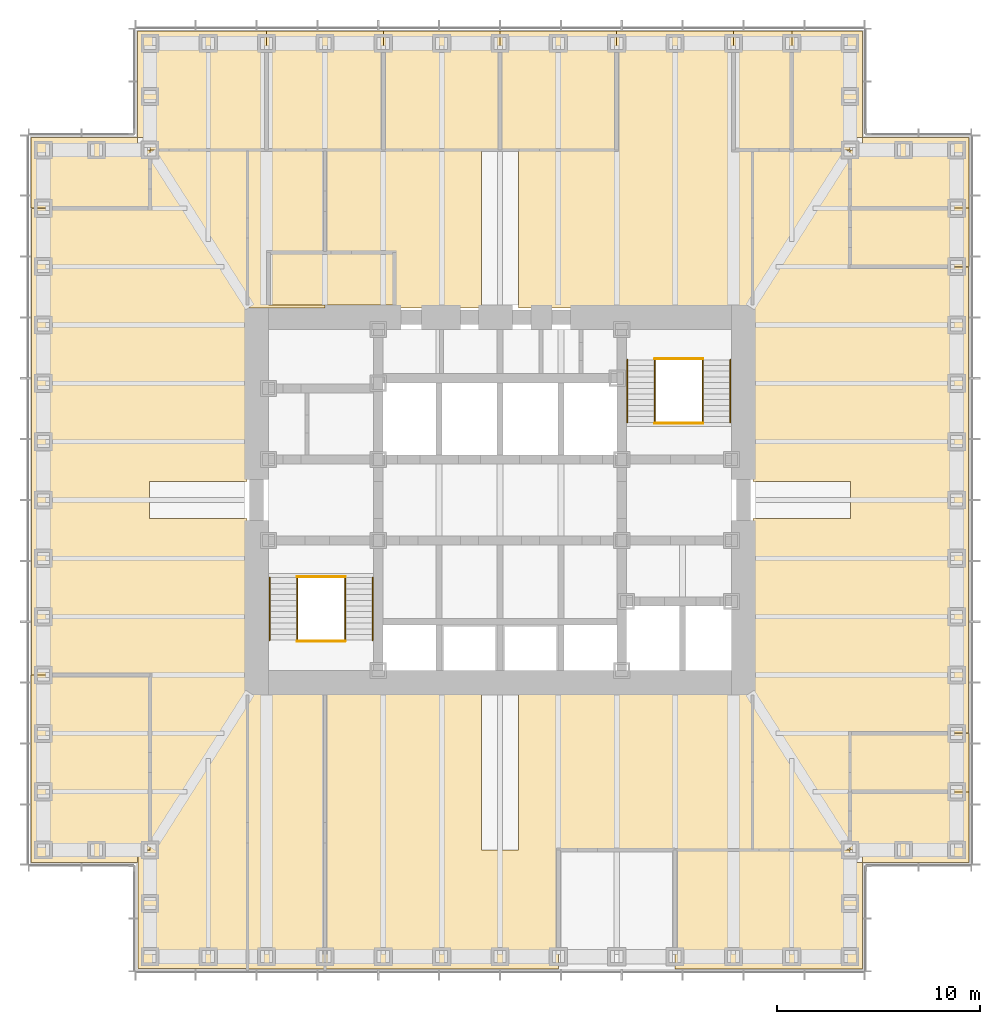
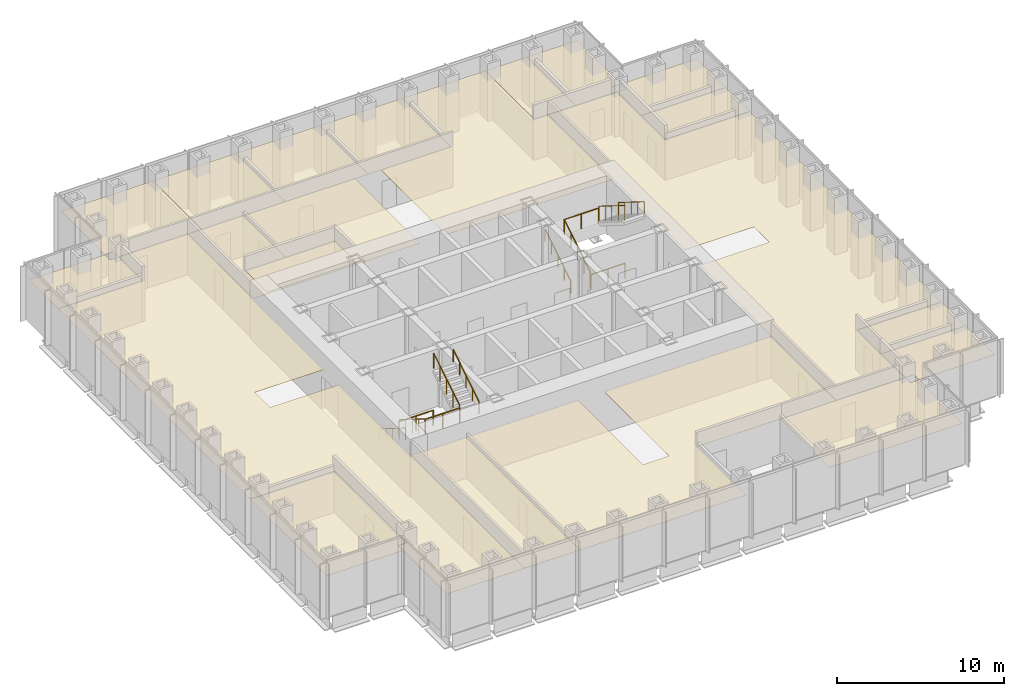
# One storey, part 17 of 17: 21 coverings, 12 railings.
"""IFC4 building model written with IfcOpenShell, lengths in metres."""

from ifc_helpers import new_model, si_unit, direction, frame, origin, origin_2d, place, context, subcontext, project, spatial, polyline, circle, outline, extrude, material, layer, layer_set, type_object, element, save


model = new_model("IFC4")

# Units and contexts
model_context = context("Model", 3, precision=1e-05, world=origin(), true_north=direction((0.0, 1.0)))
body_context = subcontext(model_context, "Body", "Model", "MODEL_VIEW")
ifc_project = project(units=[si_unit("LENGTHUNIT", "METRE"), si_unit("AREAUNIT", "SQUARE_METRE"), si_unit("VOLUMEUNIT", "CUBIC_METRE"), si_unit("PLANEANGLEUNIT", "RADIAN"), si_unit("MASSUNIT", "GRAM", prefix="KILO")], contexts=[model_context])

# Site, building, storey
site_placement = place(None, origin())
site = spatial("IfcSite", under=ifc_project, at=site_placement, CompositionType="ELEMENT")
building_placement = place(site_placement, origin())
building = spatial("IfcBuilding", under=site, at=building_placement, Name="Daluyong Arena Tower", CompositionType="ELEMENT")
storey_placement = place(building_placement, frame((0.0, 0.0, 124.89990234375)))
storey = spatial("IfcBuildingStorey", under=building, at=storey_placement, Name="L27", CompositionType="ELEMENT", Elevation=124.89990234375)

# Coverings
ifc_material_1 = material(Name="Mineral fibre ceiling tile", Category="gypsum board")
ifc_layer = layer(ifc_material_1, 0.02001953125)
ifc_layer_set = layer_set([ifc_layer], Name="Mineral fibre ceiling tile")
covering_type = type_object("IfcCoveringType", Name="Office ceiling", PredefinedType="CEILING", material=ifc_layer_set)
covering_1_placement = place(storey_placement, frame((0.0, 0.0, 2.900146484375)))
element("IfcCovering", 1, at=covering_1_placement, inside=storey, type_object=covering_type, Name="ceiling L27-02", PredefinedType="CEILING", context=body_context, shape_type="SweptSolid", body=[
    extrude(outline(polyline([(73.85009765625, 56.89990234375), (73.85009765625, 62.14990234375), (73.25, 62.14990234375), (73.25, 62.75), (64.625, 62.75), (64.625, 56.89990234375), (73.85009765625, 56.89990234375)])), origin(), (0.0, 0.0, 1.0), 0.02001953125),
])
covering_2_placement = place(storey_placement, frame((0.0, 0.0, 2.900146484375)))
element("IfcCovering", 2, at=covering_2_placement, inside=storey, type_object=covering_type, Name="ceiling L27-03", PredefinedType="CEILING", context=body_context, shape_type="SweptSolid", body=[
    extrude(outline(polyline([(73.85009765625, 62.14990234375), (79.10009765625, 62.14990234375), (79.10009765625, 65.625), (73.25, 65.625), (73.25, 62.75), (73.85009765625, 62.75), (73.85009765625, 62.14990234375)])), origin(), (0.0, 0.0, 1.0), 0.02001953125),
])
covering_3_placement = place(storey_placement, frame((0.0, 0.0, 2.900146484375)))
element("IfcCovering", 3, at=covering_3_placement, inside=storey, type_object=covering_type, Name="ceiling L27-04", PredefinedType="CEILING", context=body_context, shape_type="SweptSolid", body=[
    extrude(outline(polyline([(73.25, 65.625), (79.10009765625, 65.625), (79.10009765625, 68.5), (73.25, 68.5), (73.25, 65.625)])), origin(), (0.0, 0.0, 1.0), 0.02001953125),
])
covering_4_placement = place(storey_placement, frame((0.0, 0.0, 2.900146484375)))
element("IfcCovering", 4, at=covering_4_placement, inside=storey, type_object=covering_type, Name="ceiling L27-05", PredefinedType="CEILING", context=body_context, shape_type="SweptSolid", body=[
    extrude(outline(polyline([(73.25, 91.5), (79.10009765625, 91.5), (79.10009765625, 94.375), (73.25, 94.375), (73.25, 91.5)])), origin(), (0.0, 0.0, 1.0), 0.02001953125),
])
covering_5_placement = place(storey_placement, frame((0.0, 0.0, 2.900146484375)))
element("IfcCovering", 5, at=covering_5_placement, inside=storey, type_object=covering_type, Name="ceiling L27-06", PredefinedType="CEILING", context=body_context, shape_type="SweptSolid", body=[
    extrude(outline(polyline([(73.25, 94.375), (79.10009765625, 94.375), (79.10009765625, 97.85009765625), (73.85009765625, 97.85009765625), (73.85009765625, 97.25), (73.25, 97.25), (73.25, 94.375)])), origin(), (0.0, 0.0, 1.0), 0.02001953125),
])
covering_6_placement = place(storey_placement, frame((0.0, 0.0, 2.900146484375)))
element("IfcCovering", 6, at=covering_6_placement, inside=storey, type_object=covering_type, Name="ceiling L27-07", PredefinedType="CEILING", context=body_context, shape_type="SweptSolid", body=[
    extrude(outline(polyline([(44.5, 97.25), (44.5, 103.10009765625), (38.14990234375, 103.10009765625), (38.14990234375, 97.85009765625), (38.75, 97.85009765625), (38.75, 97.25), (44.5, 97.25)])), origin(), (0.0, 0.0, 1.0), 0.02001953125),
])
covering_7_placement = place(storey_placement, frame((0.0, 0.0, 2.900146484375)))
element("IfcCovering", 7, at=covering_7_placement, inside=storey, type_object=covering_type, Name="ceiling L27-08", PredefinedType="CEILING", context=body_context, shape_type="SweptSolid", body=[
    extrude(outline(polyline([(50.25, 97.25), (50.25, 103.10009765625), (44.5, 103.10009765625), (44.5, 97.25), (50.25, 97.25)])), origin(), (0.0, 0.0, 1.0), 0.02001953125),
])
covering_8_placement = place(storey_placement, frame((0.0, 0.0, 2.900146484375)))
element("IfcCovering", 8, at=covering_8_placement, inside=storey, type_object=covering_type, Name="ceiling L27-09", PredefinedType="CEILING", context=body_context, shape_type="SweptSolid", body=[
    extrude(outline(polyline([(56.0, 97.25), (56.0, 103.10009765625), (50.25, 103.10009765625), (50.25, 97.25), (56.0, 97.25)])), origin(), (0.0, 0.0, 1.0), 0.02001953125),
])
covering_9_placement = place(storey_placement, frame((0.0, 0.0, 2.900146484375)))
element("IfcCovering", 9, at=covering_9_placement, inside=storey, type_object=covering_type, Name="ceiling L27-10", PredefinedType="CEILING", context=body_context, shape_type="SweptSolid", body=[
    extrude(outline(polyline([(61.75, 97.25), (61.75, 103.10009765625), (56.0, 103.10009765625), (56.0, 97.25), (61.75, 97.25)])), origin(), (0.0, 0.0, 1.0), 0.02001953125),
])
covering_10_placement = place(storey_placement, frame((0.0, 0.0, 2.900146484375)))
element("IfcCovering", 10, at=covering_10_placement, inside=storey, type_object=covering_type, Name="ceiling L27-11", PredefinedType="CEILING", context=body_context, shape_type="SweptSolid", body=[
    extrude(outline(polyline([(70.375, 97.25), (70.375, 103.10009765625), (67.5, 103.10009765625), (67.5, 97.25), (70.375, 97.25)])), origin(), (0.0, 0.0, 1.0), 0.02001953125),
])
covering_11_placement = place(storey_placement, frame((0.0, 0.0, 2.900146484375)))
element("IfcCovering", 11, at=covering_11_placement, inside=storey, type_object=covering_type, Name="ceiling L27-12", PredefinedType="CEILING", context=body_context, shape_type="SweptSolid", body=[
    extrude(outline(polyline([(70.375, 97.25), (73.25, 97.25), (73.25, 97.85009765625), (73.85009765625, 97.85009765625), (73.85009765625, 103.10009765625), (70.375, 103.10009765625), (70.375, 97.25)])), origin(), (0.0, 0.0, 1.0), 0.02001953125),
])
covering_12_placement = place(storey_placement, frame((0.0, 0.0, 2.900146484375)))
element("IfcCovering", 12, at=covering_12_placement, inside=storey, type_object=covering_type, Name="ceiling L27-13", PredefinedType="CEILING", context=body_context, shape_type="SweptSolid", body=[
    extrude(outline(polyline([(32.89990234375, 62.14990234375), (38.14990234375, 62.14990234375), (38.14990234375, 62.75), (38.75, 62.75), (38.75, 71.375), (32.89990234375, 71.375), (32.89990234375, 62.14990234375)])), origin(), (0.0, 0.0, 1.0), 0.02001953125),
])
covering_13_placement = place(storey_placement, frame((0.0, 0.0, 2.900146484375)))
element("IfcCovering", 13, at=covering_13_placement, inside=storey, type_object=covering_type, Name="ceiling L27-14", PredefinedType="CEILING", context=body_context, shape_type="SweptSolid", body=[
    extrude(outline(polyline([(38.75, 94.375), (38.75, 97.25), (38.14990234375, 97.25), (38.14990234375, 97.85009765625), (32.89990234375, 97.85009765625), (32.89990234375, 94.375), (38.75, 94.375)])), origin(), (0.0, 0.0, 1.0), 0.02001953125),
])
covering_14_placement = place(storey_placement, frame((0.0, 0.0, 2.900146484375)))
element("IfcCovering", 14, at=covering_14_placement, inside=storey, type_object=covering_type, Name="ceiling L27-15", PredefinedType="CEILING", context=body_context, shape_type="SweptSolid", body=[
    extrude(outline(polyline([(44.60009765625, 89.60009765625), (50.800048828125, 89.60009765625), (50.800048828125, 92.199951171875), (44.60009765625, 92.199951171875), (44.60009765625, 89.60009765625)])), origin(), (0.0, 0.0, 1.0), 0.02001953125),
])
covering_15_placement = place(storey_placement, frame((0.0, 0.0, 2.900146484375)))
element("IfcCovering", 15, at=covering_15_placement, inside=storey, type_object=covering_type, Name="ceiling L27-20", PredefinedType="CEILING", context=body_context, shape_type="SweptSolid", body=[
    extrude(outline(polyline([(68.469970703125, 79.080078125), (68.469970703125, 62.77001953125), (73.22998046875, 62.77001953125), (73.22998046875, 68.52001953125), (79.080078125, 68.52001953125), (79.080078125, 91.47998046875), (73.22998046875, 91.47998046875), (73.22998046875, 97.22998046875), (68.469970703125, 97.22998046875), (68.469970703125, 80.919921875), (73.27001953125, 80.919921875), (73.27001953125, 79.080078125), (68.469970703125, 79.080078125)])), origin(), (0.0, 0.0, 1.0), 0.02001953125),
])
covering_16_placement = place(storey_placement, frame((0.0, 0.0, 2.900146484375)))
element("IfcCovering", 16, at=covering_16_placement, inside=storey, type_object=covering_type, Name="ceiling L27-21", PredefinedType="CEILING", context=body_context, shape_type="SweptSolid", body=[
    extrude(outline(polyline([(38.760009765625, 97.239990234375), (38.760009765625, 94.364990234375), (32.909912109375, 94.364990234375), (32.909912109375, 71.385009765625), (38.760009765625, 71.385009765625), (38.760009765625, 62.739990234375), (38.159912109375, 62.739990234375), (38.159912109375, 56.909912109375), (43.5400390625, 56.909912109375), (43.5400390625, 79.090087890625), (38.739990234375, 79.090087890625), (38.739990234375, 80.909912109375), (43.5400390625, 80.909912109375), (43.5400390625, 97.239990234375), (38.760009765625, 97.239990234375)])), origin(), (0.0, 0.0, 1.0), 0.02001953125),
])
covering_17_placement = place(storey_placement, frame((0.0, 0.0, 2.900146484375)))
element("IfcCovering", 17, at=covering_17_placement, inside=storey, type_object=covering_type, Name="ceiling L27-22", PredefinedType="CEILING", context=body_context, shape_type="SweptSolid", body=[
    extrude(outline(polyline([(47.375, 70.550048828125), (43.550048828125, 70.550048828125), (43.550048828125, 56.89990234375), (47.375, 56.89990234375), (47.375, 70.550048828125)])), origin(), (0.0, 0.0, 1.0), 0.02001953125),
])
covering_18_placement = place(storey_placement, frame((0.0, 0.0, 2.900146484375)))
element("IfcCovering", 18, at=covering_18_placement, inside=storey, type_object=covering_type, Name="ceiling L27-23", PredefinedType="CEILING", context=body_context, shape_type="SweptSolid", body=[
    extrude(outline(polyline([(55.10009765625, 70.550048828125), (47.375, 70.550048828125), (47.375, 56.89990234375), (58.875, 56.89990234375), (58.875, 62.75), (68.449951171875, 62.75), (68.449951171875, 70.550048828125), (56.89990234375, 70.550048828125), (56.89990234375, 62.75), (55.10009765625, 62.75), (55.10009765625, 70.550048828125)])), origin(), (0.0, 0.0, 1.0), 0.02001953125),
])
covering_19_placement = place(storey_placement, frame((0.0, 0.0, 2.900146484375)))
element("IfcCovering", 19, at=covering_19_placement, inside=storey, type_object=covering_type, Name="ceiling L27-24", PredefinedType="CEILING", context=body_context, shape_type="SweptSolid", body=[
    extrude(outline(polyline([(43.550048828125, 89.449951171875), (47.375, 89.449951171875), (47.375, 89.60009765625), (44.60009765625, 89.60009765625), (44.60009765625, 92.199951171875), (47.375, 92.199951171875), (47.375, 97.25), (43.550048828125, 97.25), (43.550048828125, 89.449951171875)])), origin(), (0.0, 0.0, 1.0), 0.02001953125),
])
covering_20_placement = place(storey_placement, frame((0.0, 0.0, 2.900146484375)))
element("IfcCovering", 20, at=covering_20_placement, inside=storey, type_object=covering_type, Name="ceiling L27-25", PredefinedType="CEILING", context=body_context, shape_type="SweptSolid", body=[
    extrude(outline(polyline([(55.10009765625, 97.25), (47.375, 97.25), (47.375, 92.199951171875), (50.800048828125, 92.199951171875), (50.800048828125, 89.60009765625), (47.375, 89.60009765625), (47.375, 89.449951171875), (55.10009765625, 89.449951171875), (55.10009765625, 97.25)])), origin(), (0.0, 0.0, 1.0), 0.02001953125),
])
covering_21_placement = place(storey_placement, frame((0.0, 0.0, 2.900146484375)))
element("IfcCovering", 21, at=covering_21_placement, inside=storey, type_object=covering_type, Name="ceiling L27-26", PredefinedType="CEILING", context=body_context, shape_type="SweptSolid", body=[
    extrude(outline(polyline([(56.89990234375, 89.449951171875), (68.449951171875, 89.449951171875), (68.449951171875, 97.25), (67.5, 97.25), (67.5, 103.10009765625), (61.75, 103.10009765625), (61.75, 97.25), (56.89990234375, 97.25), (56.89990234375, 89.449951171875)])), origin(), (0.0, 0.0, 1.0), 0.02001953125),
])

# Railings
ifc_material_2 = material(Name="Stainless steel handrail", Category="steel")
railing_type_1 = type_object("IfcRailingType", Name="Stair handrail", PredefinedType="HANDRAIL", material=ifc_material_2)
railing_1_placement = place(storey_placement, frame((44.64990234375, 76.175048828125, 0.175048828125)))
element("IfcRailing", 22, at=railing_1_placement, inside=storey, type_object=railing_type_1, Name="exit stair A handrail L27", PredefinedType="HANDRAIL", context=body_context, shape_type="SweptSolid", body=[
    extrude(circle(Radius=0.02392578125, at=origin_2d()), frame((0.0, 0.0, 0.8759765625), z_axis=(0.0, -0.847998304005, 0.529998940003), x_axis=(1.0, 0.0, 0.0)), (0.0, 0.0, 1.0), 3.632080078125),
    extrude(circle(Radius=0.02099609375, at=origin_2d()), origin(), (0.0, 0.0, 1.0), 0.851806640625),
    extrude(circle(Radius=0.02099609375, at=origin_2d()), frame((0.0, -0.77001953125, 0.481201171875)), (0.0, 0.0, 1.0), 0.851806640625),
    extrude(circle(Radius=0.02099609375, at=origin_2d()), frame((0.0, -1.5400390625, 0.96240234375)), (0.0, 0.0, 1.0), 0.851806640625),
    extrude(circle(Radius=0.02099609375, at=origin_2d()), frame((0.0, -2.31005859375, 1.44384765625)), (0.0, 0.0, 1.0), 0.851806640625),
    extrude(circle(Radius=0.02099609375, at=origin_2d()), frame((0.0, -3.080078125, 1.925048828125)), (0.0, 0.0, 1.0), 0.851806640625),
])
for number, where, name in (
    (23, (49.72509765625, 73.094970703125, 2.275146484375), "exit stair A handrail L27"),
    (24, (62.27490234375, 83.824951171875, 0.175048828125), "exit stair B handrail L27"),
):
    element("IfcRailing", number, at=place(storey_placement, frame(where)), inside=storey, type_object=railing_type_1, Name=name, PredefinedType="HANDRAIL", context=body_context, shape_type="SweptSolid", body=[
        extrude(circle(Radius=0.02392578125, at=origin_2d()), frame((0.0, 0.0, 0.8759765625), z_axis=(0.0, 0.847998304005, 0.529998940003), x_axis=(-1.0, 0.0, 0.0)), (0.0, 0.0, 1.0), 3.632080078125),
        extrude(circle(Radius=0.02099609375, at=origin_2d()), origin(), (0.0, 0.0, 1.0), 0.851806640625),
        extrude(circle(Radius=0.02099609375, at=origin_2d()), frame((0.0, 0.77001953125, 0.481201171875)), (0.0, 0.0, 1.0), 0.851806640625),
        extrude(circle(Radius=0.02099609375, at=origin_2d()), frame((0.0, 1.5400390625, 0.96240234375)), (0.0, 0.0, 1.0), 0.851806640625),
        extrude(circle(Radius=0.02099609375, at=origin_2d()), frame((0.0, 2.31005859375, 1.44384765625)), (0.0, 0.0, 1.0), 0.851806640625),
        extrude(circle(Radius=0.02099609375, at=origin_2d()), frame((0.0, 3.080078125, 1.925048828125)), (0.0, 0.0, 1.0), 0.851806640625),
    ])
railing_2_placement = place(storey_placement, frame((67.35009765625, 86.905029296875, 2.275146484375)))
element("IfcRailing", 25, at=railing_2_placement, inside=storey, type_object=railing_type_1, Name="exit stair B handrail L27", PredefinedType="HANDRAIL", context=body_context, shape_type="SweptSolid", body=[
    extrude(circle(Radius=0.02392578125, at=origin_2d()), frame((0.0, 0.0, 0.8759765625), z_axis=(0.0, -0.847998304005, 0.529998940003), x_axis=(1.0, 0.0, 0.0)), (0.0, 0.0, 1.0), 3.632080078125),
    extrude(circle(Radius=0.02099609375, at=origin_2d()), origin(), (0.0, 0.0, 1.0), 0.851806640625),
    extrude(circle(Radius=0.02099609375, at=origin_2d()), frame((0.0, -0.77001953125, 0.481201171875)), (0.0, 0.0, 1.0), 0.851806640625),
    extrude(circle(Radius=0.02099609375, at=origin_2d()), frame((0.0, -1.5400390625, 0.96240234375)), (0.0, 0.0, 1.0), 0.851806640625),
    extrude(circle(Radius=0.02099609375, at=origin_2d()), frame((0.0, -2.31005859375, 1.44384765625)), (0.0, 0.0, 1.0), 0.851806640625),
    extrude(circle(Radius=0.02099609375, at=origin_2d()), frame((0.0, -3.080078125, 1.925048828125)), (0.0, 0.0, 1.0), 0.851806640625),
])
ifc_material_3 = material(Name="Steel balustrade", Category="steel")
railing_type_2 = type_object("IfcRailingType", Name="Stair well guard 1100", PredefinedType="GUARDRAIL", material=ifc_material_3)
railing_3_placement = place(storey_placement, frame((46.0, 76.175048828125, 0.175048828125)))
element("IfcRailing", 26, at=railing_3_placement, inside=storey, type_object=railing_type_2, Name="exit stair A well guard L27", PredefinedType="GUARDRAIL", context=body_context, shape_type="SweptSolid", body=[
    extrude(circle(Radius=0.02392578125, at=origin_2d()), frame((0.0, 0.0, 1.076171875), z_axis=(0.0, -0.847998304005, 0.529998940003), x_axis=(1.0, 0.0, 0.0)), (0.0, 0.0, 1.0), 3.632080078125),
    extrude(circle(Radius=0.02099609375, at=origin_2d()), origin(), (0.0, 0.0, 1.0), 1.052001953125),
    extrude(circle(Radius=0.02099609375, at=origin_2d()), frame((0.0, -0.77001953125, 0.481201171875)), (0.0, 0.0, 1.0), 1.052001953125),
    extrude(circle(Radius=0.02099609375, at=origin_2d()), frame((0.0, -1.5400390625, 0.96240234375)), (0.0, 0.0, 1.0), 1.052001953125),
    extrude(circle(Radius=0.02099609375, at=origin_2d()), frame((0.0, -2.31005859375, 1.44384765625)), (0.0, 0.0, 1.0), 1.052001953125),
    extrude(circle(Radius=0.02099609375, at=origin_2d()), frame((0.0, -3.080078125, 1.925048828125)), (0.0, 0.0, 1.0), 1.052001953125),
])
railing_4_placement = place(storey_placement, frame((48.375, 73.094970703125, 2.275146484375)))
element("IfcRailing", 27, at=railing_4_placement, inside=storey, type_object=railing_type_2, Name="exit stair A well guard L27", PredefinedType="GUARDRAIL", context=body_context, shape_type="SweptSolid", body=[
    extrude(circle(Radius=0.02392578125, at=origin_2d()), frame((0.0, 0.0, 1.076171875), z_axis=(0.0, 0.847998304005, 0.529998940003), x_axis=(-1.0, 0.0, 0.0)), (0.0, 0.0, 1.0), 3.632080078125),
    extrude(circle(Radius=0.02099609375, at=origin_2d()), origin(), (0.0, 0.0, 1.0), 1.052001953125),
    extrude(circle(Radius=0.02099609375, at=origin_2d()), frame((0.0, 0.77001953125, 0.481201171875)), (0.0, 0.0, 1.0), 1.052001953125),
    extrude(circle(Radius=0.02099609375, at=origin_2d()), frame((0.0, 1.5400390625, 0.96240234375)), (0.0, 0.0, 1.0), 1.052001953125),
    extrude(circle(Radius=0.02099609375, at=origin_2d()), frame((0.0, 2.31005859375, 1.44384765625)), (0.0, 0.0, 1.0), 1.052001953125),
    extrude(circle(Radius=0.02099609375, at=origin_2d()), frame((0.0, 3.080078125, 1.925048828125)), (0.0, 0.0, 1.0), 1.052001953125),
])
for number, where, name in (
    (28, (46.0, 73.044921875, 2.10009765625), "exit stair A landing guard L27"),
    (29, (46.0, 76.22509765625, 0.0), "exit stair A floor landing guard L27"),
):
    element("IfcRailing", number, at=place(storey_placement, frame(where)), inside=storey, type_object=railing_type_2, Name=name, PredefinedType="GUARDRAIL", context=body_context, shape_type="SweptSolid", body=[
        extrude(circle(Radius=0.02392578125, at=origin_2d()), frame((0.0, 0.0, 1.076171875), z_axis=(1.0, 0.0, 0.0), x_axis=(0.0, 1.0, 0.0)), (0.0, 0.0, 1.0), 2.375),
        extrude(circle(Radius=0.02099609375, at=origin_2d()), origin(), (0.0, 0.0, 1.0), 1.052001953125),
        extrude(circle(Radius=0.02099609375, at=origin_2d()), frame((1.1875, 0.0, 0.0)), (0.0, 0.0, 1.0), 1.052001953125),
        extrude(circle(Radius=0.02099609375, at=origin_2d()), frame((2.375, 0.0, 0.0)), (0.0, 0.0, 1.0), 1.052001953125),
    ])
railing_5_placement = place(storey_placement, frame((63.625, 83.824951171875, 0.175048828125)))
element("IfcRailing", 30, at=railing_5_placement, inside=storey, type_object=railing_type_2, Name="exit stair B well guard L27", PredefinedType="GUARDRAIL", context=body_context, shape_type="SweptSolid", body=[
    extrude(circle(Radius=0.02392578125, at=origin_2d()), frame((0.0, 0.0, 1.076171875), z_axis=(0.0, 0.847998304005, 0.529998940003), x_axis=(-1.0, 0.0, 0.0)), (0.0, 0.0, 1.0), 3.632080078125),
    extrude(circle(Radius=0.02099609375, at=origin_2d()), origin(), (0.0, 0.0, 1.0), 1.052001953125),
    extrude(circle(Radius=0.02099609375, at=origin_2d()), frame((0.0, 0.77001953125, 0.481201171875)), (0.0, 0.0, 1.0), 1.052001953125),
    extrude(circle(Radius=0.02099609375, at=origin_2d()), frame((0.0, 1.5400390625, 0.96240234375)), (0.0, 0.0, 1.0), 1.052001953125),
    extrude(circle(Radius=0.02099609375, at=origin_2d()), frame((0.0, 2.31005859375, 1.44384765625)), (0.0, 0.0, 1.0), 1.052001953125),
    extrude(circle(Radius=0.02099609375, at=origin_2d()), frame((0.0, 3.080078125, 1.925048828125)), (0.0, 0.0, 1.0), 1.052001953125),
])
railing_6_placement = place(storey_placement, frame((66.0, 86.905029296875, 2.275146484375)))
element("IfcRailing", 31, at=railing_6_placement, inside=storey, type_object=railing_type_2, Name="exit stair B well guard L27", PredefinedType="GUARDRAIL", context=body_context, shape_type="SweptSolid", body=[
    extrude(circle(Radius=0.02392578125, at=origin_2d()), frame((0.0, 0.0, 1.076171875), z_axis=(0.0, -0.847998304005, 0.529998940003), x_axis=(1.0, 0.0, 0.0)), (0.0, 0.0, 1.0), 3.632080078125),
    extrude(circle(Radius=0.02099609375, at=origin_2d()), origin(), (0.0, 0.0, 1.0), 1.052001953125),
    extrude(circle(Radius=0.02099609375, at=origin_2d()), frame((0.0, -0.77001953125, 0.481201171875)), (0.0, 0.0, 1.0), 1.052001953125),
    extrude(circle(Radius=0.02099609375, at=origin_2d()), frame((0.0, -1.5400390625, 0.96240234375)), (0.0, 0.0, 1.0), 1.052001953125),
    extrude(circle(Radius=0.02099609375, at=origin_2d()), frame((0.0, -2.31005859375, 1.44384765625)), (0.0, 0.0, 1.0), 1.052001953125),
    extrude(circle(Radius=0.02099609375, at=origin_2d()), frame((0.0, -3.080078125, 1.925048828125)), (0.0, 0.0, 1.0), 1.052001953125),
])
for number, where, name in (
    (32, (63.625, 86.955078125, 2.10009765625), "exit stair B landing guard L27"),
    (33, (63.625, 83.77490234375, 0.0), "exit stair B floor landing guard L27"),
):
    element("IfcRailing", number, at=place(storey_placement, frame(where)), inside=storey, type_object=railing_type_2, Name=name, PredefinedType="GUARDRAIL", context=body_context, shape_type="SweptSolid", body=[
        extrude(circle(Radius=0.02392578125, at=origin_2d()), frame((0.0, 0.0, 1.076171875), z_axis=(1.0, 0.0, 0.0), x_axis=(0.0, 1.0, 0.0)), (0.0, 0.0, 1.0), 2.375),
        extrude(circle(Radius=0.02099609375, at=origin_2d()), origin(), (0.0, 0.0, 1.0), 1.052001953125),
        extrude(circle(Radius=0.02099609375, at=origin_2d()), frame((1.1875, 0.0, 0.0)), (0.0, 0.0, 1.0), 1.052001953125),
        extrude(circle(Radius=0.02099609375, at=origin_2d()), frame((2.375, 0.0, 0.0)), (0.0, 0.0, 1.0), 1.052001953125),
    ])

save(model, "model.ifc")
